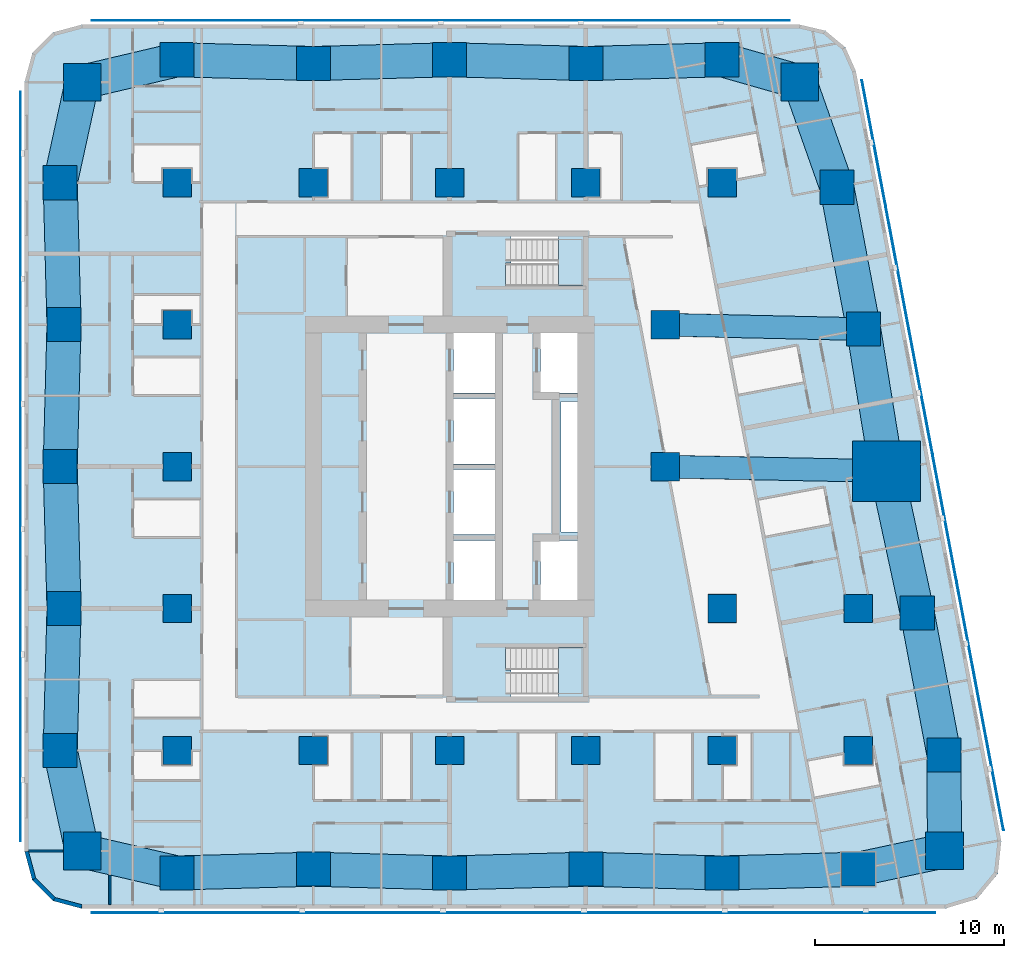
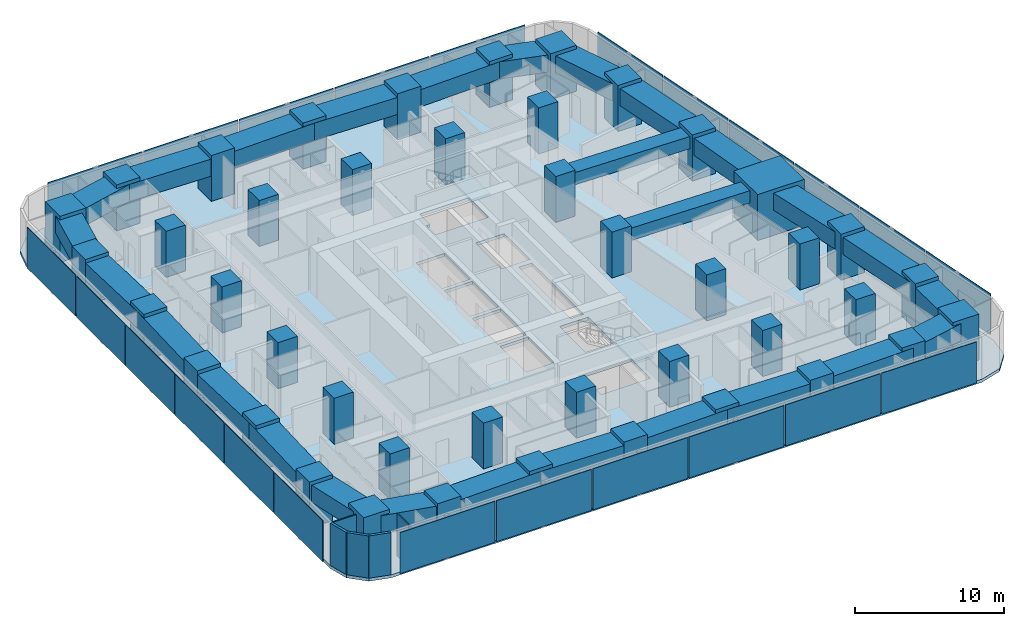
# One storey, part 1 of 15: 43 columns, 27 beams, 23 plates, 5 walls, 3 slabs, 2 elements without a shape of their own.
"""IFC4 building model written with IfcOpenShell, lengths in metres."""

from ifc_helpers import new_model, si_unit, direction, frame, frame_2d, origin, origin_2d, place, context, subcontext, project, spatial, polyline, rectangle, outline, extrude, material, layer, layer_set, material_profile, profile_set, type_object, element, aggregate, save


model = new_model("IFC4")

# Units and contexts
model_context = context("Model", 3, precision=1e-05, world=origin(), true_north=direction((0.0, 1.0)))
body_context = subcontext(model_context, "Body", "Model", "MODEL_VIEW")
ifc_project = project(units=[si_unit("LENGTHUNIT", "METRE"), si_unit("AREAUNIT", "SQUARE_METRE"), si_unit("VOLUMEUNIT", "CUBIC_METRE"), si_unit("PLANEANGLEUNIT", "RADIAN"), si_unit("MASSUNIT", "GRAM", prefix="KILO")], contexts=[model_context])

# Site, building, storey
site_placement = place(None, origin())
site = spatial("IfcSite", under=ifc_project, at=site_placement, CompositionType="ELEMENT")
building_placement = place(site_placement, origin())
building = spatial("IfcBuilding", under=site, at=building_placement, Name="Sheger Commons Tower", CompositionType="ELEMENT")
storey_placement = place(building_placement, frame((0.0, 0.0, 184.550048828125)))
storey = spatial("IfcBuildingStorey", under=building, at=storey_placement, Name="L47", CompositionType="ELEMENT", Elevation=184.550048828125)

# Columns
ifc_material_1 = material(Name="Concrete C50/60", Category="concrete")
ifc_material_profile_1 = material_profile(ifc_material_1, rectangle(XDim=3.60009765625, YDim=3.199951171875, at=origin_2d()), Name="RC 3600x3200")
ifc_profile_set_1 = profile_set([ifc_material_profile_1], Name="Concrete C50/60")
column_type_1 = type_object("IfcColumnType", Name="COLUMN PIER RC 3600x3200", PredefinedType="COLUMN", material=ifc_profile_set_1)
column_placement = place(storey_placement, frame((44.697021484375, 22.262939453125, 0.0), z_axis=(0.0, 0.0, 1.0), x_axis=(1.0, 0.0, 0.0)))
element("IfcColumn", 1, at=column_placement, inside=storey, type_object=column_type_1, Name="Pier 7/D+E/D L47", PredefinedType="COLUMN", context=body_context, shape_type="SweptSolid", body=[
    extrude(rectangle(XDim=3.60009765625, YDim=3.199951171875, at=origin_2d()), origin(), (0.0, 0.0, 1.0), 3.75),
])
ifc_material_2 = material(Name="Concrete C50/60", Category="concrete")
ifc_material_profile_2 = material_profile(ifc_material_2, rectangle(XDim=1.5, YDim=1.5, at=origin_2d()), Name="RC 1500x1500")
ifc_profile_set_2 = profile_set([ifc_material_profile_2], Name="Concrete C50/60")
column_type_2 = type_object("IfcColumnType", Name="COLUMN RC 1500x1500", PredefinedType="COLUMN", material=ifc_profile_set_2)
for number, where, z_axis, x_axis, name in (
    (2, (7.199951171875, 7.5, 0.0), (0.0, 0.0, 1.0), (1.0, 0.0, 0.0), "Column 2/B L47"),
    (3, (14.39990234375, 7.5, 0.0), (0.0, 0.0, 1.0), (1.0, 0.0, 0.0), "Column 3/B L47"),
    (4, (21.60009765625, 7.5, 0.0), (0.0, 0.0, 1.0), (1.0, 0.0, 0.0), "Column 4/B L47"),
    (5, (28.800048828125, 7.5, 0.0), (0.0, 0.0, 1.0), (1.0, 0.0, 0.0), "Column 5/B L47"),
    (6, (36.0, 7.5, 0.0), (0.0, 0.0, 1.0), (1.0, 0.0, 0.0), "Column 6/B L47"),
    (7, (43.199951171875, 7.5, 0.0), (0.0, 0.0, 1.0), (1.0, 0.0, 0.0), "Column 7/B L47"),
    (8, (7.199951171875, 15.0, 0.0), (0.0, 0.0, 1.0), (1.0, 0.0, 0.0), "Column 2/C L47"),
    (9, (36.0, 15.0, 0.0), (0.0, 0.0, 1.0), (1.0, 0.0, 0.0), "Column 6/C L47"),
    (10, (43.199951171875, 15.0, 0.0), (0.0, 0.0, 1.0), (1.0, 0.0, 0.0), "Column 7/C L47"),
    (11, (7.199951171875, 22.5, 0.0), (0.0, 0.0, 1.0), (1.0, 0.0, 0.0), "Column 2/D L47"),
    (12, (33.0, 22.5, 0.0), (0.0, 0.0, 1.0), (1.0, 0.0, 0.0), "Column 6-3000/D L47"),
    (13, (7.199951171875, 30.0, 0.0), (0.0, 0.0, 1.0), (1.0, 0.0, 0.0), "Column 2/E L47"),
    (14, (33.0, 30.0, 0.0), (0.0, 0.0, 1.0), (1.0, 0.0, 0.0), "Column 6-3000/E L47"),
    (15, (7.199951171875, 37.5, 0.0), (0.0, 0.0, 1.0), (1.0, 0.0, 0.0), "Column 2/F L47"),
    (16, (14.39990234375, 37.5, 0.0), (0.0, 0.0, 1.0), (1.0, 0.0, 0.0), "Column 3/F L47"),
    (17, (21.60009765625, 37.5, 0.0), (0.0, 0.0, 1.0), (1.0, 0.0, 0.0), "Column 4/F L47"),
    (18, (28.800048828125, 37.5, 0.0), (0.0, 0.0, 1.0), (1.0, 0.0, 0.0), "Column 5/F L47"),
    (19, (36.0, 37.5, 0.0), (0.0, 0.0, 1.0), (1.0, 0.0, 0.0), "Column 6/F L47"),
):
    element("IfcColumn", number, at=place(storey_placement, frame(where, z_axis=z_axis, x_axis=x_axis)), inside=storey, type_object=column_type_2, Name=name, PredefinedType="COLUMN", context=body_context, shape_type="SweptSolid", body=[
        extrude(rectangle(XDim=1.5, YDim=1.5, at=origin_2d()), origin(), (0.0, 0.0, 1.0), 3.75),
    ])
ifc_material_3 = material(Name="Concrete C50/60", Category="concrete")
ifc_material_profile_3 = material_profile(ifc_material_3, rectangle(XDim=1.800048828125, YDim=1.800048828125, at=origin_2d()), Name="RC 1800x1800")
ifc_profile_set_3 = profile_set([ifc_material_profile_3], Name="Concrete C50/60")
column_type_3 = type_object("IfcColumnType", Name="COLUMN RC 1800x1800", PredefinedType="COLUMN", material=ifc_profile_set_3)
for number, where, z_axis, x_axis, name in (
    (20, (7.199951171875, 1.02490234375, 0.0), (0.0, 0.0, 1.0), (1.0, 0.0, 0.0), "Column 2/A L47"),
    (21, (14.39990234375, 1.22509765625, 0.0), (0.0, 0.0, 1.0), (1.0, 0.0, 0.0), "Column 3/A L47"),
    (22, (21.60009765625, 1.02490234375, 0.0), (0.0, 0.0, 1.0), (1.0, 0.0, 0.0), "Column 4/A L47"),
    (23, (28.800048828125, 1.22509765625, 0.0), (0.0, 0.0, 1.0), (1.0, 0.0, 0.0), "Column 5/A L47"),
    (24, (36.0, 1.02490234375, 0.0), (0.0, 0.0, 1.0), (1.0, 0.0, 0.0), "Column 6/A L47"),
    (25, (43.199951171875, 1.22509765625, 0.0), (0.0, 0.0, 1.0), (1.0, 0.0, 0.0), "Column 7/A L47"),
    (26, (1.02490234375, 7.5, 0.0), (0.0, 0.0, 1.0), (1.0, 0.0, 0.0), "Column 1/B L47"),
    (27, (47.72998046875, 7.262939453125, 0.0), (0.0, 0.0, 1.0), (1.0, 0.0, 0.0), "Column E/B L47"),
    (28, (1.22509765625, 15.0, 0.0), (0.0, 0.0, 1.0), (1.0, 0.0, 0.0), "Column 1/C L47"),
    (29, (46.31396484375, 14.762939453125, 0.0), (0.0, 0.0, 1.0), (1.0, 0.0, 0.0), "Column E/C L47"),
    (30, (1.02490234375, 22.5, 0.0), (0.0, 0.0, 1.0), (1.0, 0.0, 0.0), "Column 1/D L47"),
    (31, (1.22509765625, 30.0, 0.0), (0.0, 0.0, 1.0), (1.0, 0.0, 0.0), "Column 1/E L47"),
    (32, (43.47998046875, 29.762939453125, 0.0), (0.0, 0.0, 1.0), (1.0, 0.0, 0.0), "Column E/E L47"),
    (33, (1.02490234375, 37.5, 0.0), (0.0, 0.0, 1.0), (1.0, 0.0, 0.0), "Column 1/F L47"),
    (34, (42.06396484375, 37.262939453125, 0.0), (0.0, 0.0, 1.0), (1.0, 0.0, 0.0), "Column E/F L47"),
    (35, (7.199951171875, 44.0, 0.0), (0.0, 0.0, 1.0), (1.0, 0.0, 0.0), "Column 2/G L47"),
    (36, (14.39990234375, 43.800048828125, 0.0), (0.0, 0.0, 1.0), (1.0, 0.0, 0.0), "Column 3/G L47"),
    (37, (21.60009765625, 44.0, 0.0), (0.0, 0.0, 1.0), (1.0, 0.0, 0.0), "Column 4/G L47"),
    (38, (28.800048828125, 43.800048828125, 0.0), (0.0, 0.0, 1.0), (1.0, 0.0, 0.0), "Column 5/G L47"),
    (39, (36.0, 44.0, 0.0), (0.0, 0.0, 1.0), (1.0, 0.0, 0.0), "Column 6/G L47"),
):
    element("IfcColumn", number, at=place(storey_placement, frame(where, z_axis=z_axis, x_axis=x_axis)), inside=storey, type_object=column_type_3, Name=name, PredefinedType="COLUMN", context=body_context, shape_type="SweptSolid", body=[
        extrude(rectangle(XDim=1.800048828125, YDim=1.800048828125, at=origin_2d()), origin(), (0.0, 0.0, 1.0), 3.75),
    ])
ifc_material_4 = material(Name="Concrete C50/60", Category="concrete")
ifc_material_profile_4 = material_profile(ifc_material_4, rectangle(XDim=2.0, YDim=2.0, at=origin_2d()), Name="RC 2000x2000")
ifc_profile_set_4 = profile_set([ifc_material_profile_4], Name="Concrete C50/60")
column_type_4 = type_object("IfcColumnType", Name="COLUMN RC 2000x2000", PredefinedType="COLUMN", material=ifc_profile_set_4)
for number, where, z_axis, x_axis, name in (
    (40, (2.18603515625, 2.18603515625, 0.0), (0.0, 0.0, 1.0), (1.0, 0.0, 0.0), "Column 0.630,0.630 L47"),
    (41, (47.748046875, 2.197021484375, 0.0), (0.0, 0.0, 1.0), (1.0, 0.0, 0.0), "Column 49.461,0.778 L47"),
    (42, (2.18603515625, 42.81396484375, 0.0), (0.0, 0.0, 1.0), (1.0, 0.0, 0.0), "Column 0.630,44.370 L47"),
    (43, (40.10205078125, 42.830078125, 0.0), (0.0, 0.0, 1.0), (1.0, 0.0, 0.0), "Column 41.490,44.505 L47"),
):
    element("IfcColumn", number, at=place(storey_placement, frame(where, z_axis=z_axis, x_axis=x_axis)), inside=storey, type_object=column_type_4, Name=name, PredefinedType="COLUMN", context=body_context, shape_type="SweptSolid", body=[
        extrude(rectangle(XDim=2.0, YDim=2.0, at=origin_2d()), origin(), (0.0, 0.0, 1.0), 3.75),
    ])

# Beams
ifc_material_5 = material(Name="Concrete C50/60", Category="concrete")
ifc_material_profile_5 = material_profile(ifc_material_5, rectangle(XDim=1.199951171875, YDim=1.0, at=origin_2d()), Name="RC 1200x1000")
ifc_profile_set_5 = profile_set([ifc_material_profile_5], Name="Concrete C50/60")
beam_type_1 = type_object("IfcBeamType", Name="BEAM RC 1200x1000", PredefinedType="BEAM", material=ifc_profile_set_5)
beam_1_placement = place(storey_placement, frame((33.0, 22.5, 2.949951171875), z_axis=(0.999794692776, -0.02026258368, 0.0), x_axis=(0.02026258368, 0.999794692776, 0.0)))
element("IfcBeam", 44, at=beam_1_placement, inside=storey, type_object=beam_type_1, Name="Beam 6-3000/D-7/D under L48", PredefinedType="BEAM", context=body_context, shape_type="SweptSolid", body=[
    extrude(rectangle(XDim=1.199951171875, YDim=1.0, at=origin_2d()), origin(), (0.0, 0.0, 1.0), 11.699462890625),
])
beam_2_placement = place(storey_placement, frame((33.0, 30.0, 2.949951171875), z_axis=(0.999744258625, -0.022614538395, 0.0), x_axis=(0.022614538395, 0.999744258625, 0.0)))
element("IfcBeam", 45, at=beam_2_placement, inside=storey, type_object=beam_type_1, Name="Beam 6-3000/E-E/E under L48", PredefinedType="BEAM", context=body_context, shape_type="SweptSolid", body=[
    extrude(rectangle(XDim=1.199951171875, YDim=1.0, at=origin_2d()), origin(), (0.0, 0.0, 1.0), 10.482666015625),
])
ifc_material_6 = material(Name="Concrete C50/60", Category="concrete")
ifc_material_profile_6 = material_profile(ifc_material_6, rectangle(XDim=1.800048828125, YDim=1.39990234375, at=origin_2d()), Name="RC 1800x1400")
ifc_profile_set_6 = profile_set([ifc_material_profile_6], Name="Concrete C50/60")
beam_type_2 = type_object("IfcBeamType", Name="SPANDREL RC 1800x1400", PredefinedType="SPANDREL", material=ifc_profile_set_6)
beam_3_placement = place(storey_placement, frame((2.18603515625, 2.18603515625, 2.75), z_axis=(0.974217413499, -0.225611239159, 0.0), x_axis=(0.225611239159, 0.974217413499, 0.0)))
element("IfcBeam", 46, at=beam_3_placement, inside=storey, type_object=beam_type_2, Name="Beam 0.630,0.630-2/A under L48", PredefinedType="SPANDREL", context=body_context, shape_type="SweptSolid", body=[
    extrude(rectangle(XDim=1.800048828125, YDim=1.39990234375, at=origin_2d()), origin(), (0.0, 0.0, 1.0), 5.146728515625),
])
beam_4_placement = place(storey_placement, frame((7.199951171875, 1.02490234375, 2.75), z_axis=(0.9996136624, 0.027794350926, 0.0), x_axis=(-0.027794350926, 0.9996136624, 0.0)))
element("IfcBeam", 47, at=beam_4_placement, inside=storey, type_object=beam_type_2, Name="Beam 2/A-3/A under L48", PredefinedType="SPANDREL", context=body_context, shape_type="SweptSolid", body=[
    extrude(rectangle(XDim=1.800048828125, YDim=1.39990234375, at=origin_2d()), origin(), (0.0, 0.0, 1.0), 7.20263671875),
])
beam_5_placement = place(storey_placement, frame((14.39990234375, 1.22509765625, 2.75), z_axis=(0.999613688584, -0.027793409217, 0.0), x_axis=(0.027793409217, 0.999613688584, 0.0)))
element("IfcBeam", 48, at=beam_5_placement, inside=storey, type_object=beam_type_2, Name="Beam 3/A-4/A under L48", PredefinedType="SPANDREL", context=body_context, shape_type="SweptSolid", body=[
    extrude(rectangle(XDim=1.800048828125, YDim=1.39990234375, at=origin_2d()), origin(), (0.0, 0.0, 1.0), 7.202880859375),
])
for number, where, z_axis, x_axis, name in (
    (49, (21.60009765625, 1.02490234375, 2.75), (0.9996136624, 0.027794350926, 0.0), (-0.027794350926, 0.9996136624, 0.0), "Beam 4/A-5/A under L48"),
    (50, (28.800048828125, 1.22509765625, 2.75), (0.9996136624, -0.027794350926, 0.0), (0.027794350926, 0.9996136624, 0.0), "Beam 5/A-6/A under L48"),
    (51, (36.0, 1.02490234375, 2.75), (0.9996136624, 0.027794350926, 0.0), (-0.027794350926, 0.9996136624, 0.0), "Beam 6/A-7/A under L48"),
):
    element("IfcBeam", number, at=place(storey_placement, frame(where, z_axis=z_axis, x_axis=x_axis)), inside=storey, type_object=beam_type_2, Name=name, PredefinedType="SPANDREL", context=body_context, shape_type="SweptSolid", body=[
        extrude(rectangle(XDim=1.800048828125, YDim=1.39990234375, at=origin_2d()), origin(), (0.0, 0.0, 1.0), 7.20263671875),
    ])
beam_6_placement = place(storey_placement, frame((43.199951171875, 1.22509765625, 2.75), z_axis=(0.977919796671, 0.208980552394, 0.0), x_axis=(-0.208980552394, 0.977919796671, 0.0)))
element("IfcBeam", 52, at=beam_6_placement, inside=storey, type_object=beam_type_2, Name="Beam 7/A-49.461,0.778 under L48", PredefinedType="SPANDREL", context=body_context, shape_type="SweptSolid", body=[
    extrude(rectangle(XDim=1.800048828125, YDim=1.39990234375, at=origin_2d()), origin(), (0.0, 0.0, 1.0), 4.65087890625),
])
beam_7_placement = place(storey_placement, frame((47.748046875, 2.197021484375, 2.75), z_axis=(-0.003566242382, 0.999993640937, 0.0), x_axis=(-0.999993640937, -0.003566242382, 0.0)))
element("IfcBeam", 53, at=beam_7_placement, inside=storey, type_object=beam_type_2, Name="Beam 49.461,0.778-E/B under L48", PredefinedType="SPANDREL", context=body_context, shape_type="SweptSolid", body=[
    extrude(rectangle(XDim=1.800048828125, YDim=1.39990234375, at=origin_2d()), origin(), (0.0, 0.0, 1.0), 5.06591796875),
])
beam_8_placement = place(storey_placement, frame((47.72998046875, 7.262939453125, 2.75), z_axis=(-0.18552441405, 0.982639655108, 0.0), x_axis=(-0.982639655108, -0.18552441405, 0.0)))
element("IfcBeam", 54, at=beam_8_placement, inside=storey, type_object=beam_type_2, Name="Beam E/B-E/C under L48", PredefinedType="SPANDREL", context=body_context, shape_type="SweptSolid", body=[
    extrude(rectangle(XDim=1.800048828125, YDim=1.39990234375, at=origin_2d()), origin(), (0.0, 0.0, 1.0), 7.632568359375),
])
beam_9_placement = place(storey_placement, frame((46.31396484375, 14.762939453125, 2.75), z_axis=(-0.210750229323, 0.977539943348, 0.0), x_axis=(-0.977539943348, -0.210750229323, 0.0)))
element("IfcBeam", 55, at=beam_9_placement, inside=storey, type_object=beam_type_2, Name="Beam E/C-E/D under L48", PredefinedType="SPANDREL", context=body_context, shape_type="SweptSolid", body=[
    extrude(rectangle(XDim=1.800048828125, YDim=1.39990234375, at=origin_2d()), origin(), (0.0, 0.0, 1.0), 7.67236328125),
])
beam_10_placement = place(storey_placement, frame((44.697021484375, 22.262939453125, 2.75), z_axis=(-0.160176929512, 0.987088319884, 0.0), x_axis=(-0.987088319884, -0.160176929512, 0.0)))
element("IfcBeam", 56, at=beam_10_placement, inside=storey, type_object=beam_type_2, Name="Beam E/D-E/E under L48", PredefinedType="SPANDREL", context=body_context, shape_type="SweptSolid", body=[
    extrude(rectangle(XDim=1.800048828125, YDim=1.39990234375, at=origin_2d()), origin(), (0.0, 0.0, 1.0), 7.59814453125),
])
beam_11_placement = place(storey_placement, frame((43.47998046875, 29.762939453125, 2.75), z_axis=(-0.18552441405, 0.982639655108, 0.0), x_axis=(-0.982639655108, -0.18552441405, 0.0)))
element("IfcBeam", 57, at=beam_11_placement, inside=storey, type_object=beam_type_2, Name="Beam E/E-E/F under L48", PredefinedType="SPANDREL", context=body_context, shape_type="SweptSolid", body=[
    extrude(rectangle(XDim=1.800048828125, YDim=1.39990234375, at=origin_2d()), origin(), (0.0, 0.0, 1.0), 7.632568359375),
])
beam_12_placement = place(storey_placement, frame((42.06396484375, 37.262939453125, 2.75), z_axis=(-0.332374403357, 0.943147526102, 0.0), x_axis=(-0.943147526102, -0.332374403357, 0.0)))
element("IfcBeam", 58, at=beam_12_placement, inside=storey, type_object=beam_type_2, Name="Beam E/F-41.490,44.505 under L48", PredefinedType="SPANDREL", context=body_context, shape_type="SweptSolid", body=[
    extrude(rectangle(XDim=1.800048828125, YDim=1.39990234375, at=origin_2d()), origin(), (0.0, 0.0, 1.0), 5.90283203125),
])
beam_13_placement = place(storey_placement, frame((40.10205078125, 42.830078125, 2.75), z_axis=(-0.961653428129, 0.274267541221, 0.0), x_axis=(-0.274267541221, -0.961653428129, 0.0)))
element("IfcBeam", 59, at=beam_13_placement, inside=storey, type_object=beam_type_2, Name="Beam 41.490,44.505-6/G under L48", PredefinedType="SPANDREL", context=body_context, shape_type="SweptSolid", body=[
    extrude(rectangle(XDim=1.800048828125, YDim=1.39990234375, at=origin_2d()), origin(), (0.0, 0.0, 1.0), 4.265625),
])
for number, where, z_axis, x_axis, name in (
    (60, (36.0, 44.0, 2.75), (-0.999614603568, -0.027760481514, 0.0), (0.027760481514, -0.999614603568, 0.0), "Beam 6/G-5/G under L48"),
    (61, (28.800048828125, 43.800048828125, 2.75), (-0.999614603568, 0.027760481514, 0.0), (-0.027760481514, -0.999614603568, 0.0), "Beam 5/G-4/G under L48"),
):
    element("IfcBeam", number, at=place(storey_placement, frame(where, z_axis=z_axis, x_axis=x_axis)), inside=storey, type_object=beam_type_2, Name=name, PredefinedType="SPANDREL", context=body_context, shape_type="SweptSolid", body=[
        extrude(rectangle(XDim=1.800048828125, YDim=1.39990234375, at=origin_2d()), origin(), (0.0, 0.0, 1.0), 7.20263671875),
    ])
beam_14_placement = place(storey_placement, frame((21.60009765625, 44.0, 2.75), z_axis=(-0.999614629688, -0.027759540951, 0.0), x_axis=(0.027759540951, -0.999614629688, 0.0)))
element("IfcBeam", 62, at=beam_14_placement, inside=storey, type_object=beam_type_2, Name="Beam 4/G-3/G under L48", PredefinedType="SPANDREL", context=body_context, shape_type="SweptSolid", body=[
    extrude(rectangle(XDim=1.800048828125, YDim=1.39990234375, at=origin_2d()), origin(), (0.0, 0.0, 1.0), 7.202880859375),
])
beam_15_placement = place(storey_placement, frame((14.39990234375, 43.800048828125, 2.75), z_axis=(-0.999614603568, 0.027760481514, 0.0), x_axis=(-0.027760481514, -0.999614603568, 0.0)))
element("IfcBeam", 63, at=beam_15_placement, inside=storey, type_object=beam_type_2, Name="Beam 3/G-2/G under L48", PredefinedType="SPANDREL", context=body_context, shape_type="SweptSolid", body=[
    extrude(rectangle(XDim=1.800048828125, YDim=1.39990234375, at=origin_2d()), origin(), (0.0, 0.0, 1.0), 7.20263671875),
])
beam_16_placement = place(storey_placement, frame((7.199951171875, 44.0, 2.75), z_axis=(-0.97314428949, -0.230195985701, 0.0), x_axis=(0.230195985701, -0.97314428949, 0.0)))
element("IfcBeam", 64, at=beam_16_placement, inside=storey, type_object=beam_type_2, Name="Beam 2/G-0.630,44.370 under L48", PredefinedType="SPANDREL", context=body_context, shape_type="SweptSolid", body=[
    extrude(rectangle(XDim=1.800048828125, YDim=1.39990234375, at=origin_2d()), origin(), (0.0, 0.0, 1.0), 5.15234375),
])
beam_17_placement = place(storey_placement, frame((2.18603515625, 42.81396484375, 2.75), z_axis=(-0.213469314652, -0.976949769283, 0.0), x_axis=(0.976949769283, -0.213469314652, 0.0)))
element("IfcBeam", 65, at=beam_17_placement, inside=storey, type_object=beam_type_2, Name="Beam 0.630,44.370-1/F under L48", PredefinedType="SPANDREL", context=body_context, shape_type="SweptSolid", body=[
    extrude(rectangle(XDim=1.800048828125, YDim=1.39990234375, at=origin_2d()), origin(), (0.0, 0.0, 1.0), 5.439453125),
])
for number, where, z_axis, x_axis, name in (
    (66, (1.02490234375, 37.5, 2.75), (0.026683204125, -0.999643939919, 0.0), (0.999643939919, 0.026683204125, 0.0), "Beam 1/F-1/E under L48"),
    (67, (1.22509765625, 30.0, 2.75), (-0.026683204125, -0.999643939919, 0.0), (0.999643939919, -0.026683204125, 0.0), "Beam 1/E-1/D under L48"),
    (68, (1.02490234375, 22.5, 2.75), (0.026683204125, -0.999643939919, 0.0), (0.999643939919, 0.026683204125, 0.0), "Beam 1/D-1/C under L48"),
    (69, (1.22509765625, 15.0, 2.75), (-0.026683204125, -0.999643939919, 0.0), (0.999643939919, -0.026683204125, 0.0), "Beam 1/C-1/B under L48"),
):
    element("IfcBeam", number, at=place(storey_placement, frame(where, z_axis=z_axis, x_axis=x_axis)), inside=storey, type_object=beam_type_2, Name=name, PredefinedType="SPANDREL", context=body_context, shape_type="SweptSolid", body=[
        extrude(rectangle(XDim=1.800048828125, YDim=1.39990234375, at=origin_2d()), origin(), (0.0, 0.0, 1.0), 7.502685546875),
    ])
beam_18_placement = place(storey_placement, frame((1.02490234375, 7.5, 2.75), z_axis=(0.213469314652, -0.976949769283, 0.0), x_axis=(0.976949769283, 0.213469314652, 0.0)))
element("IfcBeam", 70, at=beam_18_placement, inside=storey, type_object=beam_type_2, Name="Beam 1/B-0.630,0.630 under L48", PredefinedType="SPANDREL", context=body_context, shape_type="SweptSolid", body=[
    extrude(rectangle(XDim=1.800048828125, YDim=1.39990234375, at=origin_2d()), origin(), (0.0, 0.0, 1.0), 5.439453125),
])

# Slab
ifc_material_7 = material(Name="Concrete C35/45", Category="concrete")
ifc_layer_1 = layer(ifc_material_7, 0.25)
ifc_layer_set_1 = layer_set([ifc_layer_1], Name="SLAB FLOOR 250")
slab_type_1 = type_object("IfcSlabType", Name="SLAB FLOOR 250", PredefinedType="FLOOR", material=ifc_layer_set_1)
slab_1_placement = place(storey_placement, frame((0.0, 0.0, -0.25)))
element("IfcSlab", 71, at=slab_1_placement, inside=storey, type_object=slab_type_1, Name="L47 floor slab", PredefinedType="FLOOR", context=body_context, shape_type="SweptSolid", body=[
    extrude(outline(polyline([(-0.85009765625, 2.14990234375), (-0.447998046875, 0.64990234375), (0.64990234375, -0.447998046875), (2.14990234375, -0.85009765625), (47.805908203125, -0.85009765625), (49.465087890625, -0.35009765625), (50.570068359375, 0.98388671875), (50.75390625, 2.70703125), (43.06591796875, 43.406982421875), (42.509033203125, 44.660888671875), (41.452880859375, 45.535888671875), (40.117919921875, 45.85009765625), (2.14990234375, 45.85009765625), (0.64990234375, 45.447998046875), (-0.447998046875, 44.35009765625), (-0.85009765625, 42.85009765625), (-0.85009765625, 2.14990234375)]), holes=[polyline([(24.85009765625, 10.35009765625), (28.64990234375, 10.35009765625), (28.64990234375, 12.949951171875), (24.551025390625, 12.949951171875), (24.551025390625, 11.75), (24.85009765625, 11.75), (24.85009765625, 10.35009765625)]), polyline([(24.551025390625, 32.050048828125), (28.64990234375, 32.050048828125), (28.64990234375, 34.64990234375), (24.85009765625, 34.64990234375), (24.85009765625, 33.25), (24.551025390625, 33.25), (24.551025390625, 32.050048828125)]), polyline([(26.39990234375, 15.14990234375), (28.60009765625, 15.14990234375), (28.60009765625, 18.60009765625), (26.39990234375, 18.60009765625), (26.39990234375, 15.14990234375)]), polyline([(26.39990234375, 26.39990234375), (28.60009765625, 26.39990234375), (28.60009765625, 29.85009765625), (26.39990234375, 29.85009765625), (26.39990234375, 26.39990234375)]), polyline([(21.800048828125, 15.14990234375), (24.0, 15.14990234375), (24.0, 18.60009765625), (21.800048828125, 18.60009765625), (21.800048828125, 15.14990234375)]), polyline([(21.800048828125, 18.89990234375), (24.0, 18.89990234375), (24.0, 22.35009765625), (21.800048828125, 22.35009765625), (21.800048828125, 18.89990234375)]), polyline([(21.800048828125, 22.64990234375), (24.0, 22.64990234375), (24.0, 26.10009765625), (21.800048828125, 26.10009765625), (21.800048828125, 22.64990234375)]), polyline([(21.800048828125, 26.39990234375), (24.0, 26.39990234375), (24.0, 29.85009765625), (21.800048828125, 29.85009765625), (21.800048828125, 26.39990234375)]), polyline([(27.5, 19.050048828125), (28.5, 19.050048828125), (28.5, 25.949951171875), (27.5, 25.949951171875), (27.5, 19.050048828125)])]), origin(), (0.0, 0.0, 1.0), 0.25),
])

# Plates
ifc_material_8 = material(Name="Perforated black anodised aluminium screen", Category="aluminium")
ifc_layer_2 = layer(ifc_material_8, 0.050048828125)
ifc_layer_set_2 = layer_set([ifc_layer_2], Name="SOLAR SCREEN SCREEN-1")
plate_type = type_object("IfcPlateType", Name="SOLAR SCREEN SCREEN-1", PredefinedType="USERDEFINED", material=ifc_layer_set_2)
for number, where, z_axis, x_axis, name in (
    (72, (6.37109375, -1.074951171875, 0.0498046875), (0.0, 0.0, 1.0), (1.0, 0.0, 0.0), "Perforated solar screen panel"),
    (73, (13.81396484375, -1.074951171875, 0.0498046875), (0.0, 0.0, 1.0), (1.0, 0.0, 0.0), "Perforated solar screen panel"),
    (74, (21.257080078125, -1.074951171875, 0.0498046875), (0.0, 0.0, 1.0), (1.0, 0.0, 0.0), "Perforated solar screen panel"),
    (75, (28.698974609375, -1.074951171875, 0.0498046875), (0.0, 0.0, 1.0), (1.0, 0.0, 0.0), "Perforated solar screen panel"),
    (76, (36.14208984375, -1.074951171875, 0.0498046875), (0.0, 0.0, 1.0), (1.0, 0.0, 0.0), "Perforated solar screen panel"),
    (77, (43.5849609375, -1.074951171875, 0.0498046875), (0.0, 0.0, 1.0), (1.0, 0.0, 0.0), "Perforated solar screen panel"),
):
    element("IfcPlate", number, at=place(storey_placement, frame(where, z_axis=z_axis, x_axis=x_axis)), inside=storey, type_object=plate_type, Name=name, ObjectType="SCREEN", PredefinedType="USERDEFINED", context=body_context, shape_type="SweptSolid", body=[
        extrude(rectangle(XDim=7.343017578125, YDim=0.050048828125, at=origin_2d()), origin(), (0.0, 0.0, 1.0), 3.35009765625),
    ])
for number, where, z_axis, x_axis, name in (
    (78, (50.257080078125, 6.550048828125, 0.0498046875), (0.0, 0.0, 1.0), (-0.185615165645, 0.982622516678, 0.0), "Perforated solar screen panel"),
    (79, (49.007080078125, 13.1689453125, 0.0498046875), (0.0, 0.0, 1.0), (-0.185615165645, 0.982622516678, 0.0), "Perforated solar screen panel"),
    (80, (47.756103515625, 19.7890625, 0.0498046875), (0.0, 0.0, 1.0), (-0.185615165645, 0.982622516678, 0.0), "Perforated solar screen panel"),
    (81, (46.506103515625, 26.408935546875, 0.0498046875), (0.0, 0.0, 1.0), (-0.185615165645, 0.982622516678, 0.0), "Perforated solar screen panel"),
    (82, (45.2548828125, 33.028076171875, 0.0498046875), (0.0, 0.0, 1.0), (-0.185615165645, 0.982622516678, 0.0), "Perforated solar screen panel"),
    (83, (44.0048828125, 39.64794921875, 0.0498046875), (0.0, 0.0, 1.0), (-0.185615165645, 0.982622516678, 0.0), "Perforated solar screen panel"),
):
    element("IfcPlate", number, at=place(storey_placement, frame(where, z_axis=z_axis, x_axis=x_axis)), inside=storey, type_object=plate_type, Name=name, ObjectType="SCREEN", PredefinedType="USERDEFINED", context=body_context, shape_type="SweptSolid", body=[
        extrude(rectangle(XDim=6.636962890625, YDim=0.050048828125, at=origin_2d()), origin(), (0.0, 0.0, 1.0), 3.35009765625),
    ])
for number, where, z_axis, x_axis, name in (
    (84, (35.9208984375, 46.074951171875, 0.0498046875), (0.0, 0.0, 1.0), (-1.0, 0.0, 0.0), "Perforated solar screen panel"),
    (85, (28.528076171875, 46.074951171875, 0.0498046875), (0.0, 0.0, 1.0), (-1.0, 0.0, 0.0), "Perforated solar screen panel"),
    (86, (21.134033203125, 46.074951171875, 0.0498046875), (0.0, 0.0, 1.0), (-1.0, 0.0, 0.0), "Perforated solar screen panel"),
    (87, (13.739990234375, 46.074951171875, 0.0498046875), (0.0, 0.0, 1.0), (-1.0, 0.0, 0.0), "Perforated solar screen panel"),
    (88, (6.346923828125, 46.074951171875, 0.0498046875), (0.0, 0.0, 1.0), (-1.0, 0.0, 0.0), "Perforated solar screen panel"),
):
    element("IfcPlate", number, at=place(storey_placement, frame(where, z_axis=z_axis, x_axis=x_axis)), inside=storey, type_object=plate_type, Name=name, ObjectType="SCREEN", PredefinedType="USERDEFINED", context=body_context, shape_type="SweptSolid", body=[
        extrude(rectangle(XDim=7.2939453125, YDim=0.050048828125, at=origin_2d()), origin(), (0.0, 0.0, 1.0), 3.35009765625),
    ])
for number, where, z_axis, x_axis, name in (
    (89, (-1.074951171875, 39.0419921875, 0.0498046875), (0.0, 0.0, 1.0), (0.0, -1.0, 0.0), "Perforated solar screen panel"),
    (90, (-1.074951171875, 32.425048828125, 0.0498046875), (0.0, 0.0, 1.0), (0.0, -1.0, 0.0), "Perforated solar screen panel"),
    (91, (-1.074951171875, 25.80810546875, 0.0498046875), (0.0, 0.0, 1.0), (0.0, -1.0, 0.0), "Perforated solar screen panel"),
    (92, (-1.074951171875, 19.19189453125, 0.0498046875), (0.0, 0.0, 1.0), (0.0, -1.0, 0.0), "Perforated solar screen panel"),
    (93, (-1.074951171875, 12.574951171875, 0.0498046875), (0.0, 0.0, 1.0), (0.0, -1.0, 0.0), "Perforated solar screen panel"),
    (94, (-1.074951171875, 5.9580078125, 0.0498046875), (0.0, 0.0, 1.0), (0.0, -1.0, 0.0), "Perforated solar screen panel"),
):
    element("IfcPlate", number, at=place(storey_placement, frame(where, z_axis=z_axis, x_axis=x_axis)), inside=storey, type_object=plate_type, Name=name, ObjectType="SCREEN", PredefinedType="USERDEFINED", context=body_context, shape_type="SweptSolid", body=[
        extrude(rectangle(XDim=6.51708984375, YDim=0.050048828125, at=origin_2d()), origin(), (0.0, 0.0, 1.0), 3.35009765625),
    ])

# Stair, slab
ifc_material_9 = material(Name="Concrete C35/45", Category="concrete")
stair_type = type_object("IfcStairType", Name="HALF-TURN STAIR 1200 RISE 3750", PredefinedType="HALF_TURN_STAIR", material=ifc_material_9)
stair_1_placement = place(storey_placement, origin())
stair_1 = element("IfcStair", 95, at=stair_1_placement, inside=storey, type_object=stair_type, Name="Stair S1 L47", PredefinedType="HALF_TURN_STAIR")
ifc_material_10 = material(Name="Concrete C35/45", Category="concrete")
ifc_layer_3 = layer(ifc_material_10, 0.199951171875)
ifc_layer_set_3 = layer_set([ifc_layer_3], Name="STAIR LANDING 200")
slab_type_2 = type_object("IfcSlabType", Name="STAIR LANDING 200", PredefinedType="LANDING", material=ifc_layer_set_3)
slab_2_placement = place(storey_placement, frame((0.0, 0.0, 1.675048828125)))
slab_2 = element("IfcSlab", 96, at=slab_2_placement, type_object=slab_type_2, Name="S1 landing 1", PredefinedType="LANDING", context=body_context, shape_type="SweptSolid", body=[
    extrude(outline(polyline([(27.35009765625, 10.199951171875), (28.800048828125, 10.199951171875), (28.800048828125, 12.949951171875), (27.35009765625, 12.949951171875), (27.35009765625, 10.199951171875)])), origin(), (0.0, 0.0, 1.0), 0.199951171875),
])
aggregate(stair_1, [slab_2])

stair_2_placement = place(storey_placement, origin())
stair_2 = element("IfcStair", 97, at=stair_2_placement, inside=storey, type_object=stair_type, Name="Stair S2 L47", PredefinedType="HALF_TURN_STAIR")
slab_3_placement = place(storey_placement, frame((0.0, 0.0, 1.675048828125)))
slab_3 = element("IfcSlab", 98, at=slab_3_placement, type_object=slab_type_2, Name="S2 landing 1", PredefinedType="LANDING", context=body_context, shape_type="SweptSolid", body=[
    extrude(outline(polyline([(27.35009765625, 32.050048828125), (28.800048828125, 32.050048828125), (28.800048828125, 34.800048828125), (27.35009765625, 34.800048828125), (27.35009765625, 32.050048828125)])), origin(), (0.0, 0.0, 1.0), 0.199951171875),
])
aggregate(stair_2, [slab_3])

# Walls
ifc_material_11 = material(Name="Rendered concrete block masonry, dark grey", Category="masonry")
ifc_layer_4 = layer(ifc_material_11, 0.199951171875)
ifc_layer_set_4 = layer_set([ifc_layer_4], Name="FACADE WALL 200")
wall_type_1 = type_object("IfcWallType", Name="FACADE WALL 200", PredefinedType="SOLIDWALL", material=ifc_layer_set_4)
wall_1_placement = place(storey_placement, frame((-0.75, 2.1630859375, 0.0), z_axis=(0.0, 0.0, 1.0), x_axis=(0.259168954497, -0.965832000415, 0.0)))
element("IfcWall", 99, at=wall_1_placement, inside=storey, type_object=wall_type_1, Name="Facade wall L47", PredefinedType="SOLIDWALL", context=body_context, shape_type="SweptSolid", body=[
    extrude(rectangle(XDim=1.512939453125, YDim=0.199951171875, at=frame_2d((0.75634765625, 0.0))), origin(), (0.0, 0.0, 1.0), 3.449951171875),
])
wall_2_placement = place(storey_placement, frame((-0.35791015625, 0.701904296875, 0.0), z_axis=(0.0, 0.0, 1.0), x_axis=(0.707106781187, -0.707106781187, 0.0)))
element("IfcWall", 100, at=wall_2_placement, inside=storey, type_object=wall_type_1, Name="Facade wall L47", PredefinedType="SOLIDWALL", context=body_context, shape_type="SweptSolid", body=[
    extrude(rectangle(XDim=1.498779296875, YDim=0.199951171875, at=frame_2d((0.74951171875, 0.0))), origin(), (0.0, 0.0, 1.0), 3.449951171875),
])
wall_3_placement = place(storey_placement, frame((0.701904296875, -0.35791015625, 0.0), z_axis=(0.0, 0.0, 1.0), x_axis=(0.965832000415, -0.259168954497, 0.0)))
element("IfcWall", 101, at=wall_3_placement, inside=storey, type_object=wall_type_1, Name="Facade wall L47", PredefinedType="SOLIDWALL", context=body_context, shape_type="SweptSolid", body=[
    extrude(rectangle(XDim=1.512939453125, YDim=0.199951171875, at=frame_2d((0.75634765625, 0.0))), origin(), (0.0, 0.0, 1.0), 3.449951171875),
])
ifc_material_12 = material(Name="Gypsum board on steel studs", Category="steel")
ifc_layer_5 = layer(ifc_material_12, 0.10009765625)
ifc_layer_set_5 = layer_set([ifc_layer_5], Name="PARTITION 100")
wall_type_2 = type_object("IfcWallType", Name="PARTITION 100", PredefinedType="PARTITIONING", material=ifc_layer_set_5)
wall_4_placement = place(storey_placement, frame((3.64990234375, -0.64990234375, 0.0), z_axis=(0.0, 0.0, 1.0), x_axis=(0.0, 1.0, 0.0)))
element("IfcWall", 102, at=wall_4_placement, inside=storey, type_object=wall_type_2, Name="Partition L47", PredefinedType="PARTITIONING", context=body_context, shape_type="SweptSolid", body=[
    extrude(rectangle(XDim=1.56201171875, YDim=0.10009765625, at=frame_2d((0.781005859375, 0.0))), origin(), (0.0, 0.0, 1.0), 3.449951171875),
])
wall_5_placement = place(storey_placement, frame((-0.64990234375, 2.18603515625, 0.0), z_axis=(0.0, 0.0, 1.0), x_axis=(1.0, 0.0, 0.0)))
element("IfcWall", 103, at=wall_5_placement, inside=storey, type_object=wall_type_2, Name="Partition L47", PredefinedType="PARTITIONING", context=body_context, shape_type="SweptSolid", body=[
    extrude(rectangle(XDim=1.8349609375, YDim=0.10009765625, at=frame_2d((0.91748046875, 0.0))), origin(), (0.0, 0.0, 1.0), 3.449951171875),
])

save(model, "model.ifc")
